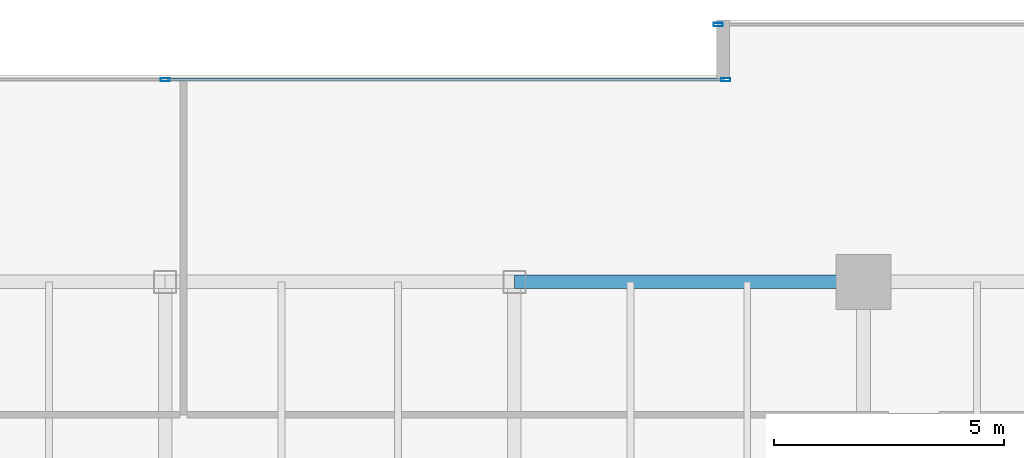
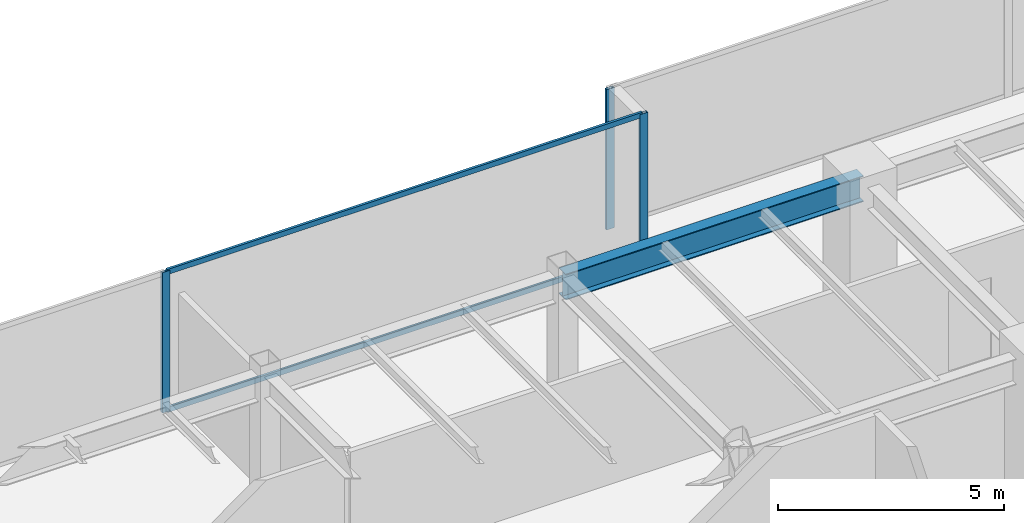
# One storey, part 18 of 30: 5 members, 1 beam, 2 elements without a shape of their own.
"""IFC4 building model written with IfcOpenShell, lengths in metres."""

from ifc_helpers import new_model, si_unit, direction, frame, origin, origin_2d, place, context, subcontext, project, spatial, hollow_rectangle, i_section, extrude, source, transform, mapped, material, layer, layer_set, material_profile, profile_set, type_object, type_shapes, element, aggregate, save


model = new_model("IFC4")

# Units and contexts
model_context = context("Model", 3, precision=1e-05, world=origin(), true_north=direction((0.0, 1.0)))
body_context = subcontext(model_context, "Body", "Model", "MODEL_VIEW")
ifc_project = project(units=[si_unit("LENGTHUNIT", "METRE"), si_unit("AREAUNIT", "SQUARE_METRE"), si_unit("VOLUMEUNIT", "CUBIC_METRE"), si_unit("PLANEANGLEUNIT", "RADIAN"), si_unit("MASSUNIT", "GRAM", prefix="KILO")], contexts=[model_context])

# Site, building, storey
site_placement = place(None, origin())
site = spatial("IfcSite", under=ifc_project, at=site_placement, CompositionType="ELEMENT")
building_placement = place(site_placement, origin())
building = spatial("IfcBuilding", under=site, at=building_placement, Name="Haelvirn Gate Laboratories", CompositionType="ELEMENT")
storey_placement = place(building_placement, frame((0.0, 0.0, 183.0)))
storey = spatial("IfcBuildingStorey", under=building, at=storey_placement, Name="L44", CompositionType="ELEMENT", Elevation=183.0)

# Beam
ifc_material_1 = material(Name="Steel SM355", Category="steel")
ifc_material_profile_1 = material_profile(ifc_material_1, i_section(OverallWidth=0.300048828125, OverallDepth=0.699951171875, WebThickness=0.012939453125, FlangeThickness=0.02392578125, at=origin_2d()), Name="H-700x300x13x24")
ifc_profile_set_1 = profile_set([ifc_material_profile_1], Name="Steel SM355")
beam_type = type_object("IfcBeamType", Name="BM-G-700", PredefinedType="BEAM", material=ifc_profile_set_1)
shared_shape_1 = source(origin(), body_context, "Body", "SweptSolid", [
    extrude(i_section(OverallWidth=0.300048828125, OverallDepth=0.699951171875, WebThickness=0.012939453125, FlangeThickness=0.02392578125, at=origin_2d()), origin(), (0.0, 0.0, 1.0), 7.60009765625),
])
type_shapes(beam_type, [shared_shape_1])
beam_placement = place(storey_placement, frame((45.0, 41.60009765625, 3.43994140625), z_axis=(1.0, 0.0, 0.0), x_axis=(0.0, 1.0, 0.0)))
element("IfcBeam", 1, at=beam_placement, inside=storey, type_object=beam_type, Name="L44 Primary Girder Y41.6 (45.0-52.6)", PredefinedType="BEAM", context=body_context, shape_type="MappedRepresentation", body=[
    mapped(shared_shape_1, transform((0.0, 0.0, 0.0), scale=1.0)),
])

# Curtain wall, members
ifc_material_2 = material(Name="Anodised bronze unitised aluminium & triple low-E glass", Category="aluminium")
ifc_layer = layer(ifc_material_2, 0.179931640625, Name="CW-SYS-3")
ifc_layer_set = layer_set([ifc_layer], Name="Anodised bronze unitised aluminium & triple low-E glass")
curtain_wall_type = type_object("IfcCurtainWallType", Name="CW-SYS-3", PredefinedType="NOTDEFINED", material=ifc_layer_set)
curtain_wall_1_placement = place(storey_placement, origin())
curtain_wall_1 = element("IfcCurtainWall", 2, at=curtain_wall_1_placement, inside=storey, type_object=curtain_wall_type, Name="L44 Unitised Curtain Wall CW-L44-P0-E12-1", PredefinedType="NOTDEFINED")
ifc_material_3 = material(Name="Extruded aluminium 6063-T6 (anodised bronze)", Category="aluminium")
ifc_material_profile_2 = material_profile(ifc_material_3, hollow_rectangle(XDim=0.06494140625, YDim=0.139892578125, WallThickness=0.00390625, at=origin_2d()), Name="CWT-140x65x4")
ifc_profile_set_2 = profile_set([ifc_material_profile_2], Name="Extruded aluminium 6063-T6 (anodised bronze)")
member_type_1 = type_object("IfcMemberType", Name="CWT-T140", PredefinedType="USERDEFINED", material=ifc_profile_set_2)
shared_shape_2 = source(origin(), body_context, "Body", "SweptSolid", [
    extrude(hollow_rectangle(XDim=0.06494140625, YDim=0.139892578125, WallThickness=0.00390625, at=origin_2d()), origin(), (0.0, 0.0, 1.0), 12.12744140625),
])
type_shapes(member_type_1, [shared_shape_2])
member_1_placement = place(storey_placement, frame((37.4375, 46.0, 0.032470703125), z_axis=(1.0, 0.0, 0.0), x_axis=(0.0, 1.0, 0.0)))
member_1 = element("IfcMember", 3, at=member_1_placement, type_object=member_type_1, Name="CW3 transom 2.1", ObjectType="TRANSOM", PredefinedType="USERDEFINED", context=body_context, shape_type="MappedRepresentation", body=[
    mapped(shared_shape_2, transform((0.0, 0.0, 0.0), scale=1.0)),
])
member_2_placement = place(storey_placement, frame((37.4375, 46.0, 3.757568359375), z_axis=(1.0, 0.0, 0.0), x_axis=(0.0, 1.0, 0.0)))
member_2 = element("IfcMember", 4, at=member_2_placement, type_object=member_type_1, Name="CW3 transom 2.2", ObjectType="TRANSOM", PredefinedType="USERDEFINED", context=body_context, shape_type="MappedRepresentation", body=[
    mapped(shared_shape_2, transform((0.0, 0.0, 0.0), scale=1.0)),
])

# Curtain wall, member
curtain_wall_2_placement = place(storey_placement, origin())
curtain_wall_2 = element("IfcCurtainWall", 5, at=curtain_wall_2_placement, inside=storey, type_object=curtain_wall_type, Name="L44 Unitised Curtain Wall CW-L44-P0-E10-1", PredefinedType="NOTDEFINED")
ifc_material_profile_3 = material_profile(ifc_material_3, hollow_rectangle(XDim=0.074951171875, YDim=0.199951171875, WallThickness=0.0048828125, at=origin_2d()), Name="CWM-200x75x5")
ifc_profile_set_3 = profile_set([ifc_material_profile_3], Name="Extruded aluminium 6063-T6 (anodised bronze)")
member_type_2 = type_object("IfcMemberType", Name="CWM-T200", PredefinedType="MULLION", material=ifc_profile_set_3)
shared_shape_3 = source(origin(), body_context, "Body", "SweptSolid", [
    extrude(hollow_rectangle(XDim=0.074951171875, YDim=0.199951171875, WallThickness=0.0048828125, at=origin_2d()), origin(), (0.0, 0.0, 1.0), 3.7900390625),
])
type_shapes(member_type_2, [shared_shape_3])
member_3_placement = place(storey_placement, frame((49.4375, 47.199951171875, 0.0), z_axis=(0.0, 0.0, 1.0), x_axis=(0.0, 1.0, 0.0)))
member_3 = element("IfcMember", 6, at=member_3_placement, type_object=member_type_2, Name="CW3 mullion 1", PredefinedType="MULLION", context=body_context, shape_type="MappedRepresentation", body=[
    mapped(shared_shape_3, transform((0.0, 0.0, 0.0), scale=1.0)),
])
aggregate(curtain_wall_2, [member_3])

# Member
member_4_placement = place(storey_placement, frame((37.39990234375, 46.0, 0.0), z_axis=(0.0, 0.0, 1.0), x_axis=(0.0, 1.0, 0.0)))
member_4 = element("IfcMember", 7, at=member_4_placement, type_object=member_type_2, Name="CW3 mullion 2", PredefinedType="MULLION", context=body_context, shape_type="MappedRepresentation", body=[
    mapped(shared_shape_3, transform((0.0, 0.0, 0.0), scale=1.0)),
])

member_5_placement = place(storey_placement, frame((49.6025390625, 46.0, 0.0), z_axis=(0.0, 0.0, 1.0), x_axis=(0.0, 1.0, 0.0)))
member_5 = element("IfcMember", 8, at=member_5_placement, type_object=member_type_2, Name="CW3 mullion 3", PredefinedType="MULLION", context=body_context, shape_type="MappedRepresentation", body=[
    mapped(shared_shape_3, transform((0.0, 0.0, 0.0), scale=1.0)),
])

aggregate(curtain_wall_1, [member_4, member_5, member_1, member_2])

save(model, "model.ifc")
